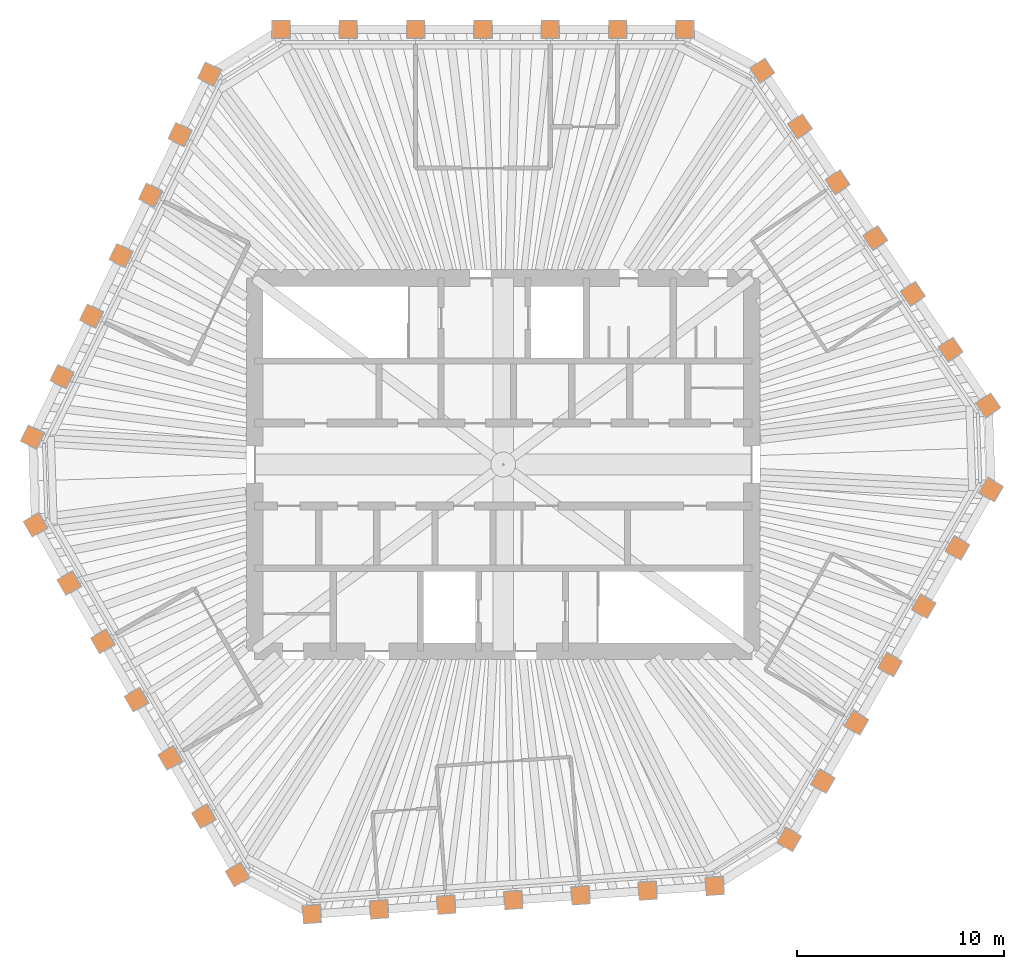
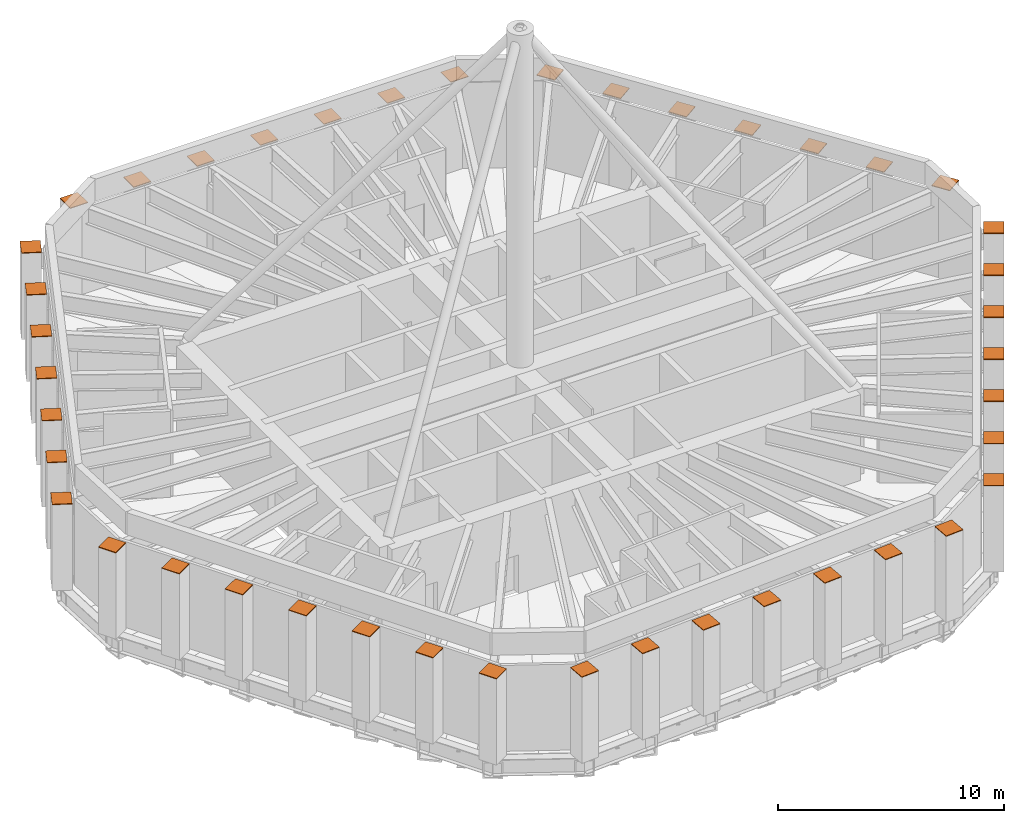
# One storey, part 9 of 9: 42 proxies.
"""IFC4 building model written with IfcOpenShell, lengths in metres."""

import ifcopenshell
import ifcopenshell.guid

model = None  # the IFC model being written
_history = None  # IfcOwnerHistory: only IFC2X3 demands one
_inside = {}  # id of a spatial element -> (the spatial element, [elements in it])
_under = {}  # id of a project, library or spatial element -> (it, [spatial elements below it])
_declared = {}  # id of a project -> (the project, [libraries it declares])
_typed = {}  # id of a type object -> (the type object, [elements of that type])
_made_of = {}  # id of a material, layer set ... -> (it, [elements and type objects made of it])


def new_model(schema):
    """Start an empty IFC model of exactly this schema.

    Asked for "IFC4X3", IfcOpenShell would pick the latest addendum, in which some entities
    have other attributes; the version numbers below select the first issue.
    IFC2X3 requires an IfcOwnerHistory on every rooted entity: one is made here for all.
    """
    global model, _history
    if schema == "IFC4X3":
        model = ifcopenshell.file(schema_version=(4, 3, 0, 0))
    else:
        model = ifcopenshell.file(schema=schema)
    _inside.clear()
    _under.clear()
    _declared.clear()
    _typed.clear()
    _made_of.clear()
    _history = None
    if model.schema == "IFC2X3":
        org = make("IfcOrganization", Name="unknown")
        user = make(
            "IfcPersonAndOrganization",
            ThePerson=make("IfcPerson", FamilyName="unknown"),
            TheOrganization=org,
        )
        app = make(
            "IfcApplication",
            ApplicationDeveloper=org,
            Version="unknown",
            ApplicationFullName="unknown",
            ApplicationIdentifier="unknown",
        )
        _history = make(
            "IfcOwnerHistory",
            OwningUser=user,
            OwningApplication=app,
            ChangeAction="ADDED",
            CreationDate=0,
        )
    return model


def make(cls, **values):
    """One entity of the class cls with the attributes given. An attribute that is None is left unset."""
    return model.create_entity(
        cls, **{name: value for name, value in values.items() if value is not None}
    )


def rooted(cls, **values):
    """An entity with a GlobalId (a new one), such as an element, a storey or a relation."""
    return make(cls, GlobalId=ifcopenshell.guid.new(), OwnerHistory=_history, **values)


def si_unit(unit_type, name, prefix=None):
    """IfcSIUnit, for example si_unit("LENGTHUNIT", "METRE", prefix="MILLI")."""
    return make("IfcSIUnit", UnitType=unit_type, Prefix=prefix, Name=name)


def assignment(units):
    """IfcUnitAssignment: the units of a project."""
    return None if units is None else make("IfcUnitAssignment", Units=units)


def point(xyz):
    """IfcCartesianPoint."""
    return None if xyz is None else make("IfcCartesianPoint", Coordinates=xyz)


def direction(xyz):
    """IfcDirection."""
    return None if xyz is None else make("IfcDirection", DirectionRatios=xyz)


def frame(location, z_axis=None, x_axis=None):
    """IfcAxis2Placement3D, a coordinate frame: its origin and axes. An axis left out is left unset."""
    return make(
        "IfcAxis2Placement3D",
        Location=point(location),
        Axis=direction(z_axis),
        RefDirection=direction(x_axis),
    )


def frame_2d(location, x_axis=None):
    """IfcAxis2Placement2D, a coordinate frame in the plane: its origin and x axis."""
    return make(
        "IfcAxis2Placement2D", Location=point(location), RefDirection=direction(x_axis)
    )


def origin():
    """The frame at (0, 0, 0) with its axes left unset."""
    return frame((0.0, 0.0, 0.0))


def origin_2d():
    """The frame at (0, 0) in the plane with its x axis left unset."""
    return frame_2d((0.0, 0.0))


def place(relative_to, where):
    """IfcLocalPlacement: puts the frame where relative to a parent placement (None: the world)."""
    return make(
        "IfcLocalPlacement", PlacementRelTo=relative_to, RelativePlacement=where
    )


def context(
    kind, dimensions, precision=None, world=None, true_north=None, identifier=None
):
    """IfcGeometricRepresentationContext, for example the 3D "Model" context."""
    return make(
        "IfcGeometricRepresentationContext",
        ContextIdentifier=identifier,
        ContextType=kind,
        CoordinateSpaceDimension=dimensions,
        Precision=precision,
        WorldCoordinateSystem=world,
        TrueNorth=true_north,
    )


def subcontext(parent, identifier, kind, view, scale=None):
    """IfcGeometricRepresentationSubContext, for example "Body" below "Model"."""
    return make(
        "IfcGeometricRepresentationSubContext",
        ContextIdentifier=identifier,
        ContextType=kind,
        ParentContext=parent,
        TargetScale=scale,
        TargetView=view,
    )


def project(units=None, contexts=None):
    """IfcProject with its units and contexts."""
    return rooted(
        "IfcProject",
        Name="project",
        RepresentationContexts=contexts,
        UnitsInContext=assignment(units),
    )


def spatial(cls, under=None, at=None, **own):
    """A site, building, storey or space (cls), placed at a placement, below another one or the project."""
    s = rooted(cls, ObjectPlacement=at, **own)
    if under is not None:
        _under.setdefault(under.id(), (under, []))[1].append(s)
    return s


def profile(cls, at=None, kind="AREA", **sizes):
    """A parametric profile (cls). Its sizes go by their IFC names, for example OverallWidth=200.0."""
    return make(cls, ProfileType=kind, Position=at, **sizes)


def rectangle(**sizes):
    """IfcRectangleProfileDef."""
    return profile("IfcRectangleProfileDef", **sizes)


def extrude(swept, where, along, depth):
    """IfcExtrudedAreaSolid: the profile swept, set in the frame where, extruded along a direction by depth."""
    return make(
        "IfcExtrudedAreaSolid",
        SweptArea=swept,
        Position=where,
        ExtrudedDirection=direction(along),
        Depth=depth,
    )


def shape(context_of_items, identifier, shape_type, items):
    """IfcShapeRepresentation: the items that make up one representation, for example the "Body"."""
    return make(
        "IfcShapeRepresentation",
        ContextOfItems=context_of_items,
        RepresentationIdentifier=identifier,
        RepresentationType=shape_type,
        Items=items,
    )


def material(Name=None, Category=None):
    """IfcMaterial."""
    return make("IfcMaterial", Name=Name, Category=Category)


def material_profile(
    of_material, cross_section, Name=None, Category=None, Priority=None
):
    """IfcMaterialProfile: a cross section and its material."""
    return make(
        "IfcMaterialProfile",
        Name=Name,
        Material=of_material,
        Profile=cross_section,
        Priority=Priority,
        Category=Category,
    )


def profile_set(profiles, Name=None, composite=None):
    """IfcMaterialProfileSet."""
    return make(
        "IfcMaterialProfileSet",
        Name=Name,
        MaterialProfiles=profiles,
        CompositeProfile=composite,
    )


def made_of(thing, what):
    """Note that an element or type object is made of a material, layer set ...; save() writes the relation."""
    if what is not None:
        _made_of.setdefault(what.id(), (what, []))[1].append(thing)
    return thing


def type_object(cls, material=None, **own):
    """A type object (cls), such as IfcWallType, which elements share."""
    return made_of(rooted(cls, **own), material)


def element(
    cls,
    number,
    at=None,
    inside=None,
    cuts=None,
    type_object=None,
    material=None,
    context=None,
    identifier="Body",
    shape_type=None,
    held_by="IfcProductDefinitionShape",
    body=None,
    shapes=None,
    **own,
):
    """One element of the class cls, such as IfcWall. Its Tag is "e" and its number.

    at: its placement. inside: the storey or other place that contains it. cuts: it is an
    opening in that element (IfcRelVoidsElement). A single representation is given by context,
    identifier, shape_type and body (its items); several are given by shapes. held_by: the class
    of the entity that holds the representations. save() writes the other relations.
    """
    e = rooted(cls, Tag="e%d" % number, ObjectPlacement=at, **own)
    if body is not None:
        shapes = [shape(context, identifier, shape_type, body)]
    if shapes is not None:
        e.Representation = make(held_by, Representations=shapes)
    if inside is not None:
        _inside.setdefault(inside.id(), (inside, []))[1].append(e)
    if cuts is not None:
        rooted(
            "IfcRelVoidsElement", RelatingBuildingElement=cuts, RelatedOpeningElement=e
        )
    if type_object is not None:
        _typed.setdefault(type_object.id(), (type_object, []))[1].append(e)
    return made_of(e, material)


def aggregate(whole, parts):
    """IfcRelAggregates: a whole, such as a stair, and the parts it consists of."""
    return rooted("IfcRelAggregates", RelatingObject=whole, RelatedObjects=parts)


def save(model, path):
    """Write the relations noted so far, then the file.

    IfcRelAggregates (storeys below a building ...), IfcRelContainedInSpatialStructure (elements
    in a storey), IfcRelDefinesByType, IfcRelAssociatesMaterial and IfcRelDeclares: one each for
    every whole, place, type object, material and project.
    """
    for whole, parts in _under.values():
        aggregate(whole, parts)
    for where, things in _inside.values():
        rooted(
            "IfcRelContainedInSpatialStructure",
            RelatedElements=things,
            RelatingStructure=where,
        )
    for kind, things in _typed.values():
        rooted("IfcRelDefinesByType", RelatedObjects=things, RelatingType=kind)
    for what, things in _made_of.values():
        rooted("IfcRelAssociatesMaterial", RelatedObjects=things, RelatingMaterial=what)
    for by, libraries in _declared.values():
        rooted("IfcRelDeclares", RelatingContext=by, RelatedDefinitions=libraries)
    model.write(path)


model = new_model("IFC4")

# Units and contexts
model_context = context("Model", 3, precision=1e-05, world=origin(), true_north=direction((0.0, 1.0)))
body_context = subcontext(model_context, "Body", "Model", "MODEL_VIEW")
ifc_project = project(units=[si_unit("LENGTHUNIT", "METRE"), si_unit("AREAUNIT", "SQUARE_METRE"), si_unit("VOLUMEUNIT", "CUBIC_METRE"), si_unit("PLANEANGLEUNIT", "RADIAN"), si_unit("MASSUNIT", "GRAM", prefix="KILO")], contexts=[model_context])

# Site, building, storey
site_placement = place(None, origin())
site = spatial("IfcSite", under=ifc_project, at=site_placement, CompositionType="ELEMENT")
building_placement = place(site_placement, origin())
building = spatial("IfcBuilding", under=site, at=building_placement, Name="Qingtian Harvest Tower", CompositionType="ELEMENT")
storey_placement = place(building_placement, frame((0.0, 0.0, 343.60009765625)))
storey = spatial("IfcBuildingStorey", under=building, at=storey_placement, Name="L76", CompositionType="ELEMENT", Elevation=343.60009765625)

# Proxies
ifc_material = material(Name="Steel SM570MC", Category="steel")
ifc_material_profile = material_profile(ifc_material, rectangle(XDim=0.89990234375, YDim=0.89990234375, at=origin_2d()), Name="PL900X900X40")
ifc_profile_set = profile_set([ifc_material_profile], Name="Steel SM570MC")
building_element_proxy_type = type_object("IfcBuildingElementProxyType", Name="Column cap plate CP2 PL900X900X40", PredefinedType="NOTDEFINED", material=ifc_profile_set)
for number, where, z_axis, x_axis, name in (
    (1, (-10.72216796875, 21.0, 4.64990234375), (0.0, 0.0, 1.0), (-1.0, 0.0, 0.0), "Cap plate CP2 on Tube column TC8 N0"),
    (2, (-7.47412109375, 21.0, 4.64990234375), (0.0, 0.0, 1.0), (-1.0, 0.0, 0.0), "Cap plate CP2 on Tube column TC8 N1"),
    (3, (-4.226318359375, 21.0, 4.64990234375), (0.0, 0.0, 1.0), (-1.0, 0.0, 0.0), "Cap plate CP2 on Tube column TC8 N2"),
    (4, (-0.978271484375, 21.0, 4.64990234375), (0.0, 0.0, 1.0), (-1.0, 0.0, 0.0), "Cap plate CP2 on Tube column TC8 N3"),
    (5, (2.269775390625, 21.0, 4.64990234375), (0.0, 0.0, 1.0), (-1.0, 0.0, 0.0), "Cap plate CP2 on Tube column TC8 N4"),
    (6, (5.517822265625, 21.0, 4.64990234375), (0.0, 0.0, 1.0), (-1.0, 0.0, 0.0), "Cap plate CP2 on Tube column TC8 N5"),
    (7, (8.765869140625, 21.0, 4.64990234375), (0.0, 0.0, 1.0), (-1.0, 0.0, 0.0), "Cap plate CP2 on Tube column TC8 N6"),
    (8, (12.508056640625, 19.01025390625, 4.64990234375), (0.0, 0.0, 1.0), (-0.559192903471, 0.829037572555, 0.0), "Cap plate CP2 on Tube column TC8 NE0"),
    (9, (14.32421875, 16.317626953125, 4.64990234375), (0.0, 0.0, 1.0), (-0.559192903471, 0.829037572555, 0.0), "Cap plate CP2 on Tube column TC8 NE1"),
    (10, (16.140625, 13.624755859375, 4.64990234375), (0.0, 0.0, 1.0), (-0.559192903471, 0.829037572555, 0.0), "Cap plate CP2 on Tube column TC8 NE2"),
    (11, (17.956787109375, 10.93212890625, 4.64990234375), (0.0, 0.0, 1.0), (-0.559192903471, 0.829037572555, 0.0), "Cap plate CP2 on Tube column TC8 NE3"),
    (12, (19.77294921875, 8.2392578125, 4.64990234375), (0.0, 0.0, 1.0), (-0.559192903471, 0.829037572555, 0.0), "Cap plate CP2 on Tube column TC8 NE4"),
    (13, (21.58935546875, 5.546630859375, 4.64990234375), (0.0, 0.0, 1.0), (-0.559192903471, 0.829037572555, 0.0), "Cap plate CP2 on Tube column TC8 NE5"),
    (14, (23.405517578125, 2.85400390625, 4.64990234375), (0.0, 0.0, 1.0), (-0.559192903471, 0.829037572555, 0.0), "Cap plate CP2 on Tube column TC8 NE6"),
    (15, (23.547607421875, -1.21435546875, 4.64990234375), (0.0, 0.0, 1.0), (0.5, 0.866025403784, 0.0), "Cap plate CP2 on Tube column TC8 SE0"),
    (16, (21.923583984375, -4.027099609375, 4.64990234375), (0.0, 0.0, 1.0), (0.5, 0.866025403784, 0.0), "Cap plate CP2 on Tube column TC8 SE1"),
    (17, (20.299560546875, -6.840087890625, 4.64990234375), (0.0, 0.0, 1.0), (0.5, 0.866025403784, 0.0), "Cap plate CP2 on Tube column TC8 SE2"),
    (18, (18.675537109375, -9.65283203125, 4.64990234375), (0.0, 0.0, 1.0), (0.5, 0.866025403784, 0.0), "Cap plate CP2 on Tube column TC8 SE3"),
    (19, (17.051513671875, -12.4658203125, 4.64990234375), (0.0, 0.0, 1.0), (0.5, 0.866025403784, 0.0), "Cap plate CP2 on Tube column TC8 SE4"),
    (20, (15.427490234375, -15.278564453125, 4.64990234375), (0.0, 0.0, 1.0), (0.5, 0.866025403784, 0.0), "Cap plate CP2 on Tube column TC8 SE5"),
    (21, (13.803466796875, -18.091552734375, 4.64990234375), (0.0, 0.0, 1.0), (0.5, 0.866025403784, 0.0), "Cap plate CP2 on Tube column TC8 SE6"),
    (22, (10.20947265625, -20.33740234375, 4.64990234375), (0.0, 0.0, 1.0), (0.99756405026, 0.069756473744, 0.0), "Cap plate CP2 on Tube column TC8 S0"),
    (23, (6.96923828125, -20.56396484375, 4.64990234375), (0.0, 0.0, 1.0), (0.99756405026, 0.069756473744, 0.0), "Cap plate CP2 on Tube column TC8 S1"),
    (24, (3.729248046875, -20.79052734375, 4.64990234375), (0.0, 0.0, 1.0), (0.99756405026, 0.069756473744, 0.0), "Cap plate CP2 on Tube column TC8 S2"),
    (25, (0.489013671875, -21.01708984375, 4.64990234375), (0.0, 0.0, 1.0), (0.99756405026, 0.069756473744, 0.0), "Cap plate CP2 on Tube column TC8 S3"),
    (26, (-2.7509765625, -21.24365234375, 4.64990234375), (0.0, 0.0, 1.0), (0.99756405026, 0.069756473744, 0.0), "Cap plate CP2 on Tube column TC8 S4"),
    (27, (-5.9912109375, -21.47021484375, 4.64990234375), (0.0, 0.0, 1.0), (0.99756405026, 0.069756473744, 0.0), "Cap plate CP2 on Tube column TC8 S5"),
    (28, (-9.231201171875, -21.69677734375, 4.64990234375), (0.0, 0.0, 1.0), (0.99756405026, 0.069756473744, 0.0), "Cap plate CP2 on Tube column TC8 S6"),
    (29, (-12.825439453125, -19.78564453125, 4.64990234375), (0.0, 0.0, 1.0), (0.5, -0.866025403784, 0.0), "Cap plate CP2 on Tube column TC8 SW0"),
    (30, (-14.449462890625, -16.972900390625, 4.64990234375), (0.0, 0.0, 1.0), (0.5, -0.866025403784, 0.0), "Cap plate CP2 on Tube column TC8 SW1"),
    (31, (-16.073486328125, -14.159912109375, 4.64990234375), (0.0, 0.0, 1.0), (0.5, -0.866025403784, 0.0), "Cap plate CP2 on Tube column TC8 SW2"),
    (32, (-17.697509765625, -11.34716796875, 4.64990234375), (0.0, 0.0, 1.0), (0.5, -0.866025403784, 0.0), "Cap plate CP2 on Tube column TC8 SW3"),
    (33, (-19.321533203125, -8.5341796875, 4.64990234375), (0.0, 0.0, 1.0), (0.5, -0.866025403784, 0.0), "Cap plate CP2 on Tube column TC8 SW4"),
    (34, (-20.945556640625, -5.721435546875, 4.64990234375), (0.0, 0.0, 1.0), (0.5, -0.866025403784, 0.0), "Cap plate CP2 on Tube column TC8 SW5"),
    (35, (-22.569580078125, -2.908447265625, 4.64990234375), (0.0, 0.0, 1.0), (0.5, -0.866025403784, 0.0), "Cap plate CP2 on Tube column TC8 SW6"),
    (36, (-22.71728515625, 1.3271484375, 4.64990234375), (0.0, 0.0, 1.0), (-0.438371146789, -0.898794046299, 0.0), "Cap plate CP2 on Tube column TC8 NW0"),
    (37, (-21.29345703125, 4.246337890625, 4.64990234375), (0.0, 0.0, 1.0), (-0.438371146789, -0.898794046299, 0.0), "Cap plate CP2 on Tube column TC8 NW1"),
    (38, (-19.86962890625, 7.165771484375, 4.64990234375), (0.0, 0.0, 1.0), (-0.438371146789, -0.898794046299, 0.0), "Cap plate CP2 on Tube column TC8 NW2"),
    (39, (-18.44580078125, 10.0849609375, 4.64990234375), (0.0, 0.0, 1.0), (-0.438371146789, -0.898794046299, 0.0), "Cap plate CP2 on Tube column TC8 NW3"),
    (40, (-17.02197265625, 13.00439453125, 4.64990234375), (0.0, 0.0, 1.0), (-0.438371146789, -0.898794046299, 0.0), "Cap plate CP2 on Tube column TC8 NW4"),
    (41, (-15.59814453125, 15.923583984375, 4.64990234375), (0.0, 0.0, 1.0), (-0.438371146789, -0.898794046299, 0.0), "Cap plate CP2 on Tube column TC8 NW5"),
    (42, (-14.17431640625, 18.8427734375, 4.64990234375), (0.0, 0.0, 1.0), (-0.438371146789, -0.898794046299, 0.0), "Cap plate CP2 on Tube column TC8 NW6"),
):
    element("IfcBuildingElementProxy", number, at=place(storey_placement, frame(where, z_axis=z_axis, x_axis=x_axis)), inside=storey, type_object=building_element_proxy_type, Name=name, PredefinedType="NOTDEFINED", context=body_context, shape_type="SweptSolid", body=[
        extrude(rectangle(XDim=0.89990234375, YDim=0.89990234375, at=origin_2d()), origin(), (0.0, 0.0, 1.0), 0.0400390625),
    ])

save(model, "model.ifc")
